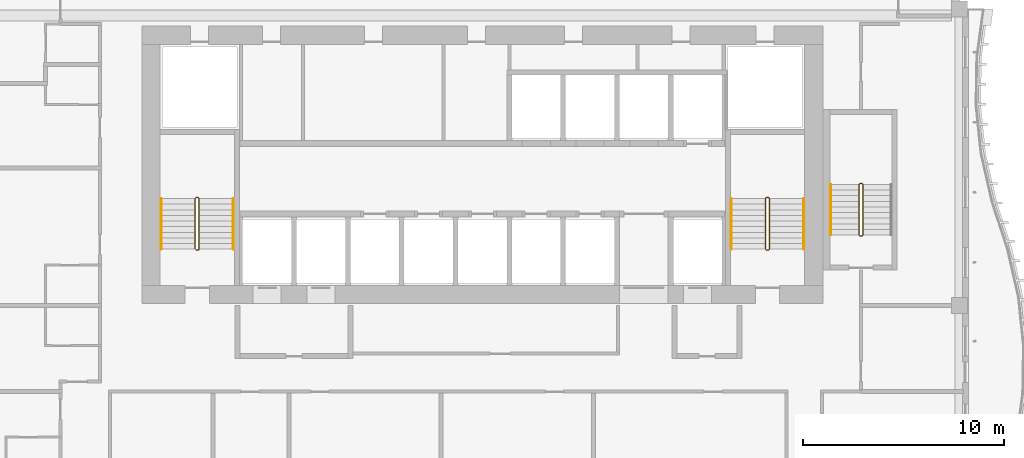
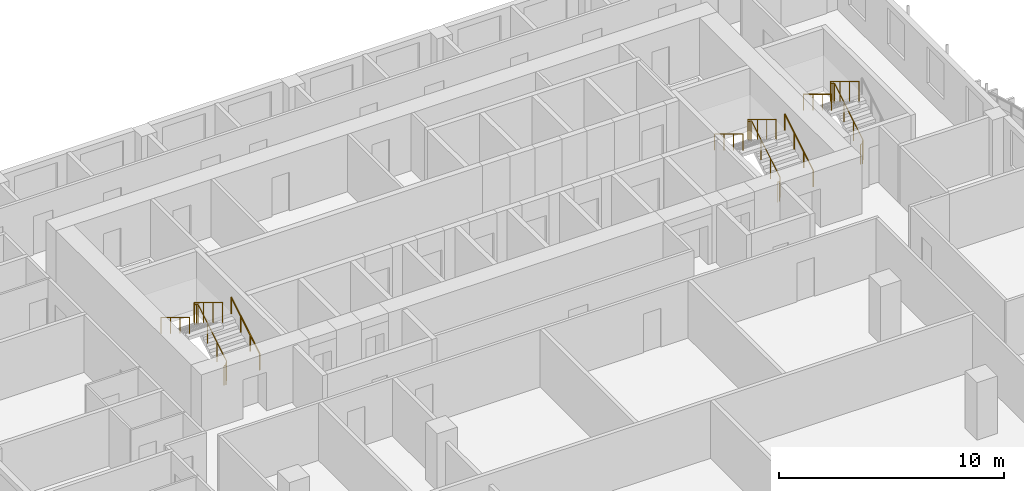
# One storey, part 23 of 24: 8 railings.
"""IFC4 building model written with IfcOpenShell, lengths in metres."""

from ifc_helpers import new_model, si_unit, direction, frame, origin, origin_2d, place, context, subcontext, project, spatial, circle, extrude, material, type_object, element, save


model = new_model("IFC4")

# Units and contexts
model_context = context("Model", 3, precision=1e-05, world=origin(), true_north=direction((0.0, 1.0)))
body_context = subcontext(model_context, "Body", "Model", "MODEL_VIEW")
ifc_project = project(units=[si_unit("LENGTHUNIT", "METRE"), si_unit("AREAUNIT", "SQUARE_METRE"), si_unit("VOLUMEUNIT", "CUBIC_METRE"), si_unit("PLANEANGLEUNIT", "RADIAN"), si_unit("MASSUNIT", "GRAM", prefix="KILO")], contexts=[model_context])

# Site, building, storey
site_placement = place(None, origin())
site = spatial("IfcSite", under=ifc_project, at=site_placement, CompositionType="ELEMENT")
building_placement = place(site_placement, origin())
building = spatial("IfcBuilding", under=site, at=building_placement, Name="Kilnfold Tower and Market Hall", CompositionType="ELEMENT")
storey_placement = place(building_placement, frame((0.0, 0.0, 175.300048828125)))
storey = spatial("IfcBuildingStorey", under=building, at=storey_placement, Name="L41", CompositionType="ELEMENT", Elevation=175.300048828125)

# Railings
ifc_material_1 = material(Name="Stainless steel 316", Category="steel")
railing_type_1 = type_object("IfcRailingType", Name="CORE STAIR GUARD 1100", PredefinedType="GUARDRAIL", material=ifc_material_1)
railing_1_placement = place(storey_placement, frame((-13.199951171875, 10.75, 0.0)))
element("IfcRailing", 1, at=railing_1_placement, inside=storey, type_object=railing_type_1, Name="L41 ST1 stair guard 1", PredefinedType="GUARDRAIL", context=body_context, shape_type="SweptSolid", body=[
    extrude(circle(Radius=0.02392578125, at=origin_2d()), frame((0.0, 0.0, 1.076171875), z_axis=(1.0, 0.0, 0.0), x_axis=(0.0, 1.0, 0.0)), (0.0, 0.0, 1.0), 0.099853515625),
    extrude(circle(Radius=0.02392578125, at=origin_2d()), frame((0.099853515625, 0.0, 1.076171875), z_axis=(0.271895245746, 0.271895245746, 0.923117517265), x_axis=(-0.707106781187, 0.707106781187, 0.0)), (0.0, 0.0, 1.0), 0.18408203125),
    extrude(circle(Radius=0.02392578125, at=origin_2d()), frame((0.14990234375, 0.050048828125, 1.24609375), z_axis=(0.0, 0.85478489116, 0.518982456201), x_axis=(-1.0, 0.0, 0.0)), (0.0, 0.0, 1.0), 2.9482421875),
    extrude(circle(Radius=0.02392578125, at=origin_2d()), frame((0.14990234375, 2.570068359375, 2.77587890625), z_axis=(-0.707106781187, 0.707106781187, 0.0), x_axis=(-0.707106781187, -0.707106781187, 0.0)), (0.0, 0.0, 1.0), 0.07080078125),
    extrude(circle(Radius=0.02392578125, at=origin_2d()), frame((0.099853515625, 2.6201171875, 2.77587890625), z_axis=(-1.0, 0.0, 0.0), x_axis=(0.0, -1.0, 0.0)), (0.0, 0.0, 1.0), 0.099853515625),
    extrude(circle(Radius=0.02392578125, at=origin_2d()), frame((0.0, 2.6201171875, 2.77587890625), z_axis=(-0.271895245746, -0.271895245746, 0.923117517265), x_axis=(0.707106781187, -0.707106781187, 0.0)), (0.0, 0.0, 1.0), 0.18408203125),
    extrude(circle(Radius=0.02392578125, at=origin_2d()), frame((-0.050048828125, 2.570068359375, 2.94580078125), z_axis=(0.0, -0.85478489116, 0.518982456201), x_axis=(1.0, 0.0, 0.0)), (0.0, 0.0, 1.0), 2.9482421875),
    extrude(circle(Radius=0.02099609375, at=origin_2d()), origin(), (0.0, 0.0, 1.0), 1.052001953125),
    extrude(circle(Radius=0.02099609375, at=origin_2d()), frame((0.099853515625, 0.0, 0.0)), (0.0, 0.0, 1.0), 1.052001953125),
    extrude(circle(Radius=0.02099609375, at=origin_2d()), frame((0.14990234375, 0.050048828125, 0.169921875)), (0.0, 0.0, 1.0), 1.052001953125),
    extrude(circle(Radius=0.02099609375, at=origin_2d()), frame((0.14990234375, 0.89013671875, 0.679931640625)), (0.0, 0.0, 1.0), 1.052001953125),
    extrude(circle(Radius=0.02099609375, at=origin_2d()), frame((0.14990234375, 1.72998046875, 1.18994140625)), (0.0, 0.0, 1.0), 1.052001953125),
    extrude(circle(Radius=0.02099609375, at=origin_2d()), frame((0.14990234375, 2.570068359375, 1.699951171875)), (0.0, 0.0, 1.0), 1.052001953125),
    extrude(circle(Radius=0.02099609375, at=origin_2d()), frame((0.099853515625, 2.6201171875, 1.699951171875)), (0.0, 0.0, 1.0), 1.052001953125),
    extrude(circle(Radius=0.02099609375, at=origin_2d()), frame((0.0, 2.6201171875, 1.699951171875)), (0.0, 0.0, 1.0), 1.052001953125),
    extrude(circle(Radius=0.02099609375, at=origin_2d()), frame((-0.050048828125, 2.570068359375, 1.869873046875)), (0.0, 0.0, 1.0), 1.052001953125),
    extrude(circle(Radius=0.02099609375, at=origin_2d()), frame((-0.050048828125, 1.72998046875, 2.3798828125)), (0.0, 0.0, 1.0), 1.052001953125),
    extrude(circle(Radius=0.02099609375, at=origin_2d()), frame((-0.050048828125, 0.89013671875, 2.889892578125)), (0.0, 0.0, 1.0), 1.052001953125),
    extrude(circle(Radius=0.02099609375, at=origin_2d()), frame((-0.050048828125, 0.050048828125, 3.39990234375)), (0.0, 0.0, 1.0), 1.052001953125),
])
railing_2_placement = place(storey_placement, frame((15.199951171875, 10.75, 0.0)))
element("IfcRailing", 2, at=railing_2_placement, inside=storey, type_object=railing_type_1, Name="L41 ST2 stair guard 1", PredefinedType="GUARDRAIL", context=body_context, shape_type="SweptSolid", body=[
    extrude(circle(Radius=0.02392578125, at=origin_2d()), frame((0.0, 0.0, 1.076171875), z_axis=(1.0, 0.0, 0.0), x_axis=(0.0, 1.0, 0.0)), (0.0, 0.0, 1.0), 0.10009765625),
    extrude(circle(Radius=0.02392578125, at=origin_2d()), frame((0.10009765625, 0.0, 1.076171875), z_axis=(0.271895245746, 0.271895245746, 0.923117517265), x_axis=(-0.707106781187, 0.707106781187, 0.0)), (0.0, 0.0, 1.0), 0.18408203125),
    extrude(circle(Radius=0.02392578125, at=origin_2d()), frame((0.150146484375, 0.050048828125, 1.24609375), z_axis=(0.0, 0.85478489116, 0.518982456201), x_axis=(-1.0, 0.0, 0.0)), (0.0, 0.0, 1.0), 2.9482421875),
    extrude(circle(Radius=0.02392578125, at=origin_2d()), frame((0.150146484375, 2.570068359375, 2.77587890625), z_axis=(-0.707106781187, 0.707106781187, 0.0), x_axis=(-0.707106781187, -0.707106781187, 0.0)), (0.0, 0.0, 1.0), 0.07080078125),
    extrude(circle(Radius=0.02392578125, at=origin_2d()), frame((0.10009765625, 2.6201171875, 2.77587890625), z_axis=(-1.0, 0.0, 0.0), x_axis=(0.0, -1.0, 0.0)), (0.0, 0.0, 1.0), 0.10009765625),
    extrude(circle(Radius=0.02392578125, at=origin_2d()), frame((0.0, 2.6201171875, 2.77587890625), z_axis=(-0.271895245746, -0.271895245746, 0.923117517265), x_axis=(0.707106781187, -0.707106781187, 0.0)), (0.0, 0.0, 1.0), 0.18408203125),
    extrude(circle(Radius=0.02392578125, at=origin_2d()), frame((-0.050048828125, 2.570068359375, 2.94580078125), z_axis=(0.0, -0.85478489116, 0.518982456201), x_axis=(1.0, 0.0, 0.0)), (0.0, 0.0, 1.0), 2.9482421875),
    extrude(circle(Radius=0.02099609375, at=origin_2d()), origin(), (0.0, 0.0, 1.0), 1.052001953125),
    extrude(circle(Radius=0.02099609375, at=origin_2d()), frame((0.10009765625, 0.0, 0.0)), (0.0, 0.0, 1.0), 1.052001953125),
    extrude(circle(Radius=0.02099609375, at=origin_2d()), frame((0.150146484375, 0.050048828125, 0.169921875)), (0.0, 0.0, 1.0), 1.052001953125),
    extrude(circle(Radius=0.02099609375, at=origin_2d()), frame((0.150146484375, 0.89013671875, 0.679931640625)), (0.0, 0.0, 1.0), 1.052001953125),
    extrude(circle(Radius=0.02099609375, at=origin_2d()), frame((0.150146484375, 1.72998046875, 1.18994140625)), (0.0, 0.0, 1.0), 1.052001953125),
    extrude(circle(Radius=0.02099609375, at=origin_2d()), frame((0.150146484375, 2.570068359375, 1.699951171875)), (0.0, 0.0, 1.0), 1.052001953125),
    extrude(circle(Radius=0.02099609375, at=origin_2d()), frame((0.10009765625, 2.6201171875, 1.699951171875)), (0.0, 0.0, 1.0), 1.052001953125),
    extrude(circle(Radius=0.02099609375, at=origin_2d()), frame((0.0, 2.6201171875, 1.699951171875)), (0.0, 0.0, 1.0), 1.052001953125),
    extrude(circle(Radius=0.02099609375, at=origin_2d()), frame((-0.050048828125, 2.570068359375, 1.869873046875)), (0.0, 0.0, 1.0), 1.052001953125),
    extrude(circle(Radius=0.02099609375, at=origin_2d()), frame((-0.050048828125, 1.72998046875, 2.3798828125)), (0.0, 0.0, 1.0), 1.052001953125),
    extrude(circle(Radius=0.02099609375, at=origin_2d()), frame((-0.050048828125, 0.89013671875, 2.889892578125)), (0.0, 0.0, 1.0), 1.052001953125),
    extrude(circle(Radius=0.02099609375, at=origin_2d()), frame((-0.050048828125, 0.050048828125, 3.39990234375)), (0.0, 0.0, 1.0), 1.052001953125),
])
railing_3_placement = place(storey_placement, frame((19.85009765625, 11.449951171875, 0.0)))
element("IfcRailing", 3, at=railing_3_placement, inside=storey, type_object=railing_type_1, Name="L41 ST5 stair guard 1", PredefinedType="GUARDRAIL", context=body_context, shape_type="SweptSolid", body=[
    extrude(circle(Radius=0.02392578125, at=origin_2d()), frame((0.0, 0.0, 1.076171875), z_axis=(1.0, 0.0, 0.0), x_axis=(0.0, 1.0, 0.0)), (0.0, 0.0, 1.0), 0.099853515625),
    extrude(circle(Radius=0.02392578125, at=origin_2d()), frame((0.099853515625, 0.0, 1.076171875), z_axis=(0.271895245746, 0.271895245746, 0.923117517265), x_axis=(-0.707106781187, 0.707106781187, 0.0)), (0.0, 0.0, 1.0), 0.18408203125),
    extrude(circle(Radius=0.02392578125, at=origin_2d()), frame((0.14990234375, 0.050048828125, 1.24609375), z_axis=(0.0, 0.85478489116, 0.518982456201), x_axis=(-1.0, 0.0, 0.0)), (0.0, 0.0, 1.0), 2.9482421875),
    extrude(circle(Radius=0.02392578125, at=origin_2d()), frame((0.14990234375, 2.570068359375, 2.77587890625), z_axis=(-0.707106781187, 0.707106781187, 0.0), x_axis=(-0.707106781187, -0.707106781187, 0.0)), (0.0, 0.0, 1.0), 0.07080078125),
    extrude(circle(Radius=0.02392578125, at=origin_2d()), frame((0.099853515625, 2.6201171875, 2.77587890625), z_axis=(-1.0, 0.0, 0.0), x_axis=(0.0, -1.0, 0.0)), (0.0, 0.0, 1.0), 0.099853515625),
    extrude(circle(Radius=0.02392578125, at=origin_2d()), frame((0.0, 2.6201171875, 2.77587890625), z_axis=(-0.271895245746, -0.271895245746, 0.923117517265), x_axis=(0.707106781187, -0.707106781187, 0.0)), (0.0, 0.0, 1.0), 0.18408203125),
    extrude(circle(Radius=0.02392578125, at=origin_2d()), frame((-0.050048828125, 2.570068359375, 2.94580078125), z_axis=(0.0, -0.85478489116, 0.518982456201), x_axis=(1.0, 0.0, 0.0)), (0.0, 0.0, 1.0), 2.9482421875),
    extrude(circle(Radius=0.02099609375, at=origin_2d()), origin(), (0.0, 0.0, 1.0), 1.052001953125),
    extrude(circle(Radius=0.02099609375, at=origin_2d()), frame((0.099853515625, 0.0, 0.0)), (0.0, 0.0, 1.0), 1.052001953125),
    extrude(circle(Radius=0.02099609375, at=origin_2d()), frame((0.14990234375, 0.050048828125, 0.169921875)), (0.0, 0.0, 1.0), 1.052001953125),
    extrude(circle(Radius=0.02099609375, at=origin_2d()), frame((0.14990234375, 0.89013671875, 0.679931640625)), (0.0, 0.0, 1.0), 1.052001953125),
    extrude(circle(Radius=0.02099609375, at=origin_2d()), frame((0.14990234375, 1.72998046875, 1.18994140625)), (0.0, 0.0, 1.0), 1.052001953125),
    extrude(circle(Radius=0.02099609375, at=origin_2d()), frame((0.14990234375, 2.570068359375, 1.699951171875)), (0.0, 0.0, 1.0), 1.052001953125),
    extrude(circle(Radius=0.02099609375, at=origin_2d()), frame((0.099853515625, 2.6201171875, 1.699951171875)), (0.0, 0.0, 1.0), 1.052001953125),
    extrude(circle(Radius=0.02099609375, at=origin_2d()), frame((0.0, 2.6201171875, 1.699951171875)), (0.0, 0.0, 1.0), 1.052001953125),
    extrude(circle(Radius=0.02099609375, at=origin_2d()), frame((-0.050048828125, 2.570068359375, 1.869873046875)), (0.0, 0.0, 1.0), 1.052001953125),
    extrude(circle(Radius=0.02099609375, at=origin_2d()), frame((-0.050048828125, 1.72998046875, 2.3798828125)), (0.0, 0.0, 1.0), 1.052001953125),
    extrude(circle(Radius=0.02099609375, at=origin_2d()), frame((-0.050048828125, 0.89013671875, 2.889892578125)), (0.0, 0.0, 1.0), 1.052001953125),
    extrude(circle(Radius=0.02099609375, at=origin_2d()), frame((-0.050048828125, 0.050048828125, 3.39990234375)), (0.0, 0.0, 1.0), 1.052001953125),
])
ifc_material_2 = material(Name="Stainless steel 316", Category="steel")
railing_type_2 = type_object("IfcRailingType", Name="CORE STAIR HANDRAIL 900", PredefinedType="HANDRAIL", material=ifc_material_2)
railing_4_placement = place(storey_placement, frame((-11.35009765625, 10.800048828125, 0.169921875)))
element("IfcRailing", 4, at=railing_4_placement, inside=storey, type_object=railing_type_2, Name="L41 ST1 stair handrail 1", PredefinedType="HANDRAIL", context=body_context, shape_type="SweptSolid", body=[
    extrude(circle(Radius=0.02392578125, at=origin_2d()), frame((0.0, 0.0, 0.8759765625), z_axis=(0.0, 0.85478489116, 0.518982456201), x_axis=(-1.0, 0.0, 0.0)), (0.0, 0.0, 1.0), 2.9482421875),
    extrude(circle(Radius=0.02099609375, at=origin_2d()), origin(), (0.0, 0.0, 1.0), 0.851806640625),
    extrude(circle(Radius=0.02099609375, at=origin_2d()), frame((0.0, 0.840087890625, 0.510009765625)), (0.0, 0.0, 1.0), 0.851806640625),
    extrude(circle(Radius=0.02099609375, at=origin_2d()), frame((0.0, 1.679931640625, 1.02001953125)), (0.0, 0.0, 1.0), 0.851806640625),
    extrude(circle(Radius=0.02099609375, at=origin_2d()), frame((0.0, 2.52001953125, 1.530029296875)), (0.0, 0.0, 1.0), 0.851806640625),
])
railing_5_placement = place(storey_placement, frame((-14.949951171875, 13.320068359375, 1.869873046875)))
element("IfcRailing", 5, at=railing_5_placement, inside=storey, type_object=railing_type_2, Name="L41 ST1 stair handrail 2", PredefinedType="HANDRAIL", context=body_context, shape_type="SweptSolid", body=[
    extrude(circle(Radius=0.02392578125, at=origin_2d()), frame((0.0, 0.0, 0.8759765625), z_axis=(0.0, -0.85478489116, 0.518982456201), x_axis=(1.0, 0.0, 0.0)), (0.0, 0.0, 1.0), 2.9482421875),
    extrude(circle(Radius=0.02099609375, at=origin_2d()), origin(), (0.0, 0.0, 1.0), 0.851806640625),
    extrude(circle(Radius=0.02099609375, at=origin_2d()), frame((0.0, -0.840087890625, 0.510009765625)), (0.0, 0.0, 1.0), 0.851806640625),
    extrude(circle(Radius=0.02099609375, at=origin_2d()), frame((0.0, -1.679931640625, 1.02001953125)), (0.0, 0.0, 1.0), 0.851806640625),
    extrude(circle(Radius=0.02099609375, at=origin_2d()), frame((0.0, -2.52001953125, 1.530029296875)), (0.0, 0.0, 1.0), 0.851806640625),
])
railing_6_placement = place(storey_placement, frame((17.050048828125, 10.800048828125, 0.169921875)))
element("IfcRailing", 6, at=railing_6_placement, inside=storey, type_object=railing_type_2, Name="L41 ST2 stair handrail 1", PredefinedType="HANDRAIL", context=body_context, shape_type="SweptSolid", body=[
    extrude(circle(Radius=0.02392578125, at=origin_2d()), frame((0.0, 0.0, 0.8759765625), z_axis=(0.0, 0.85478489116, 0.518982456201), x_axis=(-1.0, 0.0, 0.0)), (0.0, 0.0, 1.0), 2.9482421875),
    extrude(circle(Radius=0.02099609375, at=origin_2d()), origin(), (0.0, 0.0, 1.0), 0.851806640625),
    extrude(circle(Radius=0.02099609375, at=origin_2d()), frame((0.0, 0.840087890625, 0.510009765625)), (0.0, 0.0, 1.0), 0.851806640625),
    extrude(circle(Radius=0.02099609375, at=origin_2d()), frame((0.0, 1.679931640625, 1.02001953125)), (0.0, 0.0, 1.0), 0.851806640625),
    extrude(circle(Radius=0.02099609375, at=origin_2d()), frame((0.0, 2.52001953125, 1.530029296875)), (0.0, 0.0, 1.0), 0.851806640625),
])
for number, where, name in (
    (7, (13.449951171875, 13.320068359375, 1.869873046875), "L41 ST2 stair handrail 2"),
    (8, (18.39990234375, 14.02001953125, 1.869873046875), "L41 ST5 stair handrail 2"),
):
    element("IfcRailing", number, at=place(storey_placement, frame(where)), inside=storey, type_object=railing_type_2, Name=name, PredefinedType="HANDRAIL", context=body_context, shape_type="SweptSolid", body=[
        extrude(circle(Radius=0.02392578125, at=origin_2d()), frame((0.0, 0.0, 0.8759765625), z_axis=(0.0, -0.85478489116, 0.518982456201), x_axis=(1.0, 0.0, 0.0)), (0.0, 0.0, 1.0), 2.9482421875),
        extrude(circle(Radius=0.02099609375, at=origin_2d()), origin(), (0.0, 0.0, 1.0), 0.851806640625),
        extrude(circle(Radius=0.02099609375, at=origin_2d()), frame((0.0, -0.840087890625, 0.510009765625)), (0.0, 0.0, 1.0), 0.851806640625),
        extrude(circle(Radius=0.02099609375, at=origin_2d()), frame((0.0, -1.679931640625, 1.02001953125)), (0.0, 0.0, 1.0), 0.851806640625),
        extrude(circle(Radius=0.02099609375, at=origin_2d()), frame((0.0, -2.52001953125, 1.530029296875)), (0.0, 0.0, 1.0), 0.851806640625),
    ])

save(model, "model.ifc")
